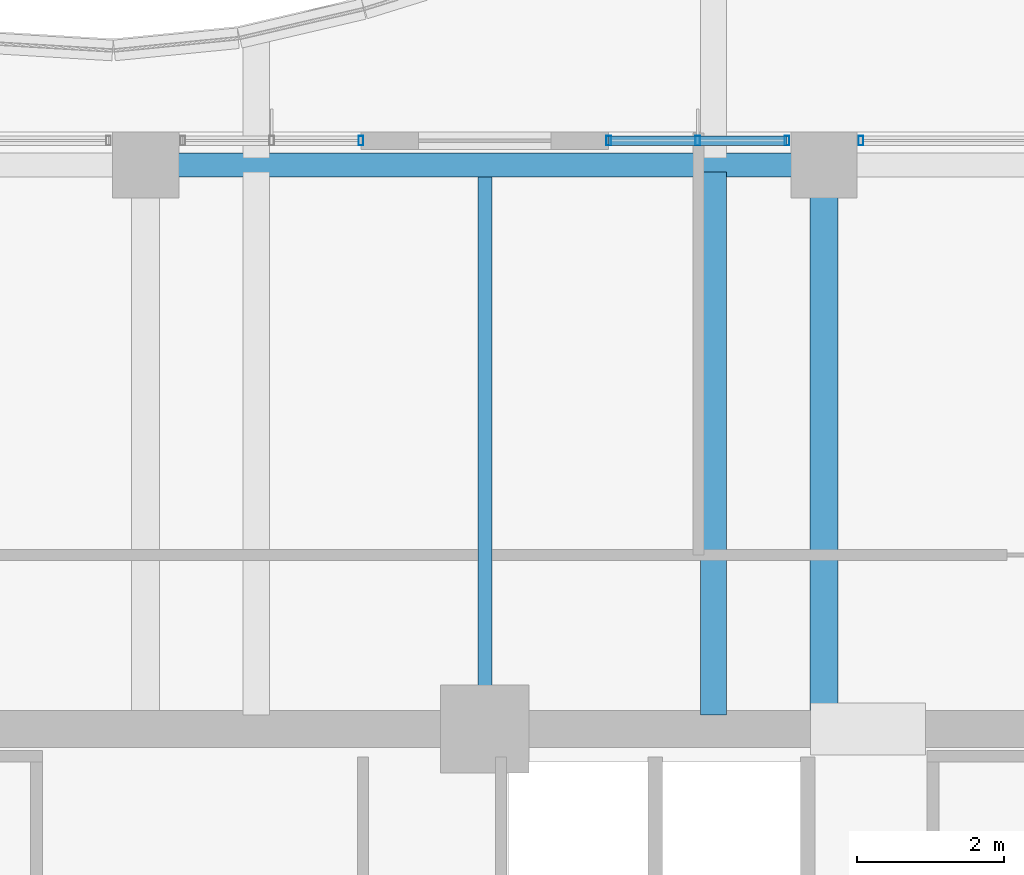
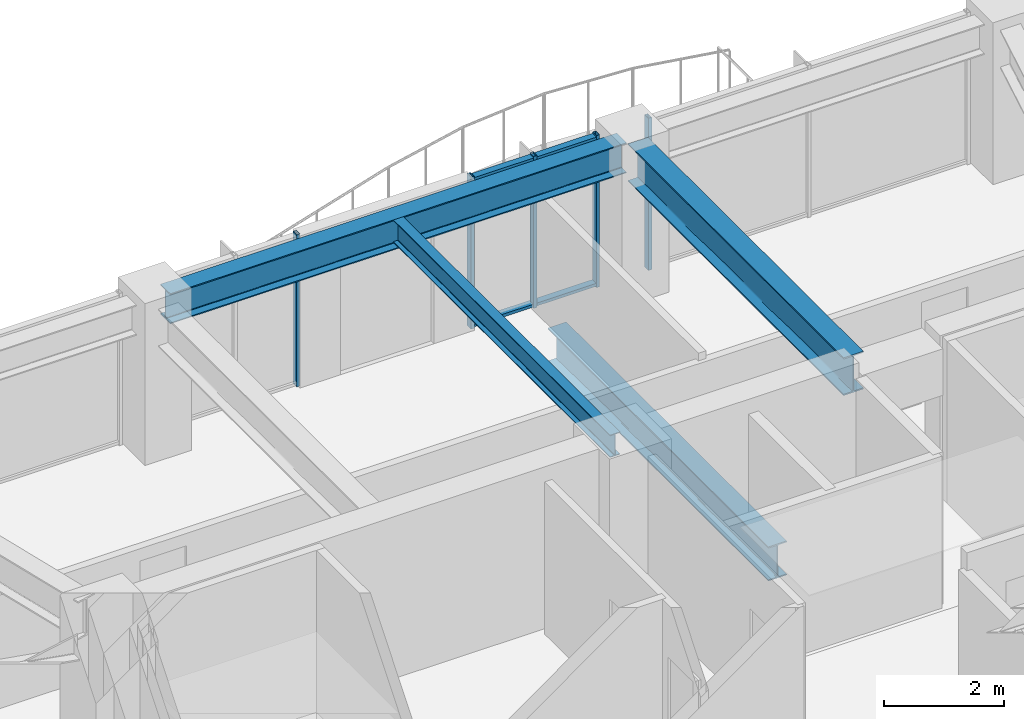
# One storey, part 18 of 31: 7 members, 4 beams, 3 elements without a shape of their own.
"""IFC4 building model written with IfcOpenShell, lengths in metres."""

from ifc_helpers import new_model, si_unit, direction, frame, origin, origin_2d, place, context, subcontext, project, spatial, hollow_rectangle, i_section, extrude, material, material_profile, profile_set, type_object, element, aggregate, save


model = new_model("IFC4")

# Units and contexts
model_context = context("Model", 3, precision=1e-05, world=origin(), true_north=direction((0.0, 1.0)))
body_context = subcontext(model_context, "Body", "Model", "MODEL_VIEW")
ifc_project = project(units=[si_unit("LENGTHUNIT", "METRE"), si_unit("AREAUNIT", "SQUARE_METRE"), si_unit("VOLUMEUNIT", "CUBIC_METRE"), si_unit("PLANEANGLEUNIT", "RADIAN"), si_unit("MASSUNIT", "GRAM", prefix="KILO")], contexts=[model_context])

# Site, building, storey
site_placement = place(None, origin())
site = spatial("IfcSite", under=ifc_project, at=site_placement, CompositionType="ELEMENT")
building_placement = place(site_placement, origin())
building = spatial("IfcBuilding", under=site, at=building_placement, Name="Kolvaren Belvedere", CompositionType="ELEMENT")
storey_placement = place(building_placement, frame((0.0, 0.0, 138.199951171875)))
storey = spatial("IfcBuildingStorey", under=building, at=storey_placement, Name="L40", CompositionType="ELEMENT", Elevation=138.199951171875)

# Beams
ifc_material_1 = material(Name="Structural steel ASTM A992 Grade 50", Category="steel")
ifc_material_profile_1 = material_profile(ifc_material_1, i_section(OverallWidth=0.35498046875, OverallDepth=0.696044921875, WebThickness=0.015380859375, FlangeThickness=0.02490234375, FilletRadius=0.02197265625, at=origin_2d()), Name="W27X146")
ifc_profile_set_1 = profile_set([ifc_material_profile_1], Name="Structural steel ASTM A992 Grade 50")
beam_type_1 = type_object("IfcBeamType", Name="BM-GIRD-W27X146", PredefinedType="BEAM", material=ifc_profile_set_1)
beam_1_placement = place(storey_placement, frame((3.10009765625, 10.090087890625, -0.5478515625), z_axis=(0.0, 1.0, 0.0), x_axis=(-1.0, 0.0, 0.0)))
element("IfcBeam", 1, at=beam_1_placement, inside=storey, type_object=beam_type_1, Name="L40 Balcony Interior Back-Span Girder BAL-N-2", PredefinedType="BEAM", context=body_context, shape_type="SweptSolid", body=[
    extrude(i_section(OverallWidth=0.35498046875, OverallDepth=0.696044921875, WebThickness=0.015380859375, FlangeThickness=0.02490234375, FilletRadius=0.02197265625, at=origin_2d()), origin(), (0.0, 0.0, 1.0), 7.364990234375),
])
ifc_material_2 = material(Name="Structural steel ASTM A992 Grade 50", Category="steel")
ifc_material_profile_2 = material_profile(ifc_material_2, i_section(OverallWidth=0.381103515625, OverallDepth=0.77294921875, WebThickness=0.0166015625, FlangeThickness=0.027099609375, FilletRadius=0.02392578125, at=origin_2d()), Name="W30X173")
ifc_profile_set_2 = profile_set([ifc_material_profile_2], Name="Structural steel ASTM A992 Grade 50")
beam_type_2 = type_object("IfcBeamType", Name="BM-GIRD-W30X173", PredefinedType="BEAM", material=ifc_profile_set_2)
beam_2_placement = place(storey_placement, frame((4.60009765625, 10.14990234375, 2.713623046875), z_axis=(0.0, 1.0, 0.0), x_axis=(-1.0, 0.0, 0.0)))
element("IfcBeam", 2, at=beam_2_placement, inside=storey, type_object=beam_type_2, Name="L40 North Radial Girder P", PredefinedType="BEAM", context=body_context, shape_type="SweptSolid", body=[
    extrude(i_section(OverallWidth=0.381103515625, OverallDepth=0.77294921875, WebThickness=0.0166015625, FlangeThickness=0.027099609375, FilletRadius=0.02392578125, at=origin_2d()), origin(), (0.0, 0.0, 1.0), 7.197509765625),
])
ifc_material_3 = material(Name="Structural steel ASTM A992 Grade 50", Category="steel")
ifc_material_profile_3 = material_profile(ifc_material_3, i_section(OverallWidth=0.19091796875, OverallDepth=0.4599609375, WebThickness=0.010009765625, FlangeThickness=0.01611328125, FilletRadius=0.014892578125, at=origin_2d()), Name="W18X55")
ifc_profile_set_3 = profile_set([ifc_material_profile_3], Name="Structural steel ASTM A992 Grade 50")
beam_type_3 = type_object("IfcBeamType", Name="BM-JOIST-W18X55", PredefinedType="BEAM", material=ifc_profile_set_3)
beam_3_placement = place(storey_placement, frame((0.0, 10.14990234375, 2.8701171875), z_axis=(0.0, 1.0, 0.0), x_axis=(-1.0, 0.0, 0.0)))
element("IfcBeam", 3, at=beam_3_placement, inside=storey, type_object=beam_type_3, Name="L40 North Centre Floor Beam", PredefinedType="BEAM", context=body_context, shape_type="SweptSolid", body=[
    extrude(i_section(OverallWidth=0.19091796875, OverallDepth=0.4599609375, WebThickness=0.010009765625, FlangeThickness=0.01611328125, FilletRadius=0.014892578125, at=origin_2d()), origin(), (0.0, 0.0, 1.0), 7.237548828125),
])
ifc_material_4 = material(Name="Structural steel ASTM A992 Grade 50", Category="steel")
ifc_material_profile_4 = material_profile(ifc_material_4, i_section(OverallWidth=0.324951171875, OverallDepth=0.615966796875, WebThickness=0.013916015625, FlangeThickness=0.021484375, FilletRadius=0.02001953125, at=origin_2d()), Name="W24X117")
ifc_profile_set_4 = profile_set([ifc_material_profile_4], Name="Structural steel ASTM A992 Grade 50")
beam_type_4 = type_object("IfcBeamType", Name="BM-SPAN-W24X117", PredefinedType="SPANDREL", material=ifc_profile_set_4)
beam_4_placement = place(storey_placement, frame((4.3974609375, 17.550048828125, 2.7919921875), z_axis=(-1.0, 0.0, 0.0), x_axis=(0.0, -1.0, 0.0)))
element("IfcBeam", 4, at=beam_4_placement, inside=storey, type_object=beam_type_4, Name="L40 Perimeter Spandrel N3-N2", PredefinedType="SPANDREL", context=body_context, shape_type="SweptSolid", body=[
    extrude(i_section(OverallWidth=0.324951171875, OverallDepth=0.615966796875, WebThickness=0.013916015625, FlangeThickness=0.021484375, FilletRadius=0.02001953125, at=origin_2d()), origin(), (0.0, 0.0, 1.0), 8.794921875),
])

# Curtain wall, member
ifc_material_5 = material(Name="Anodised pale-metal aluminium AA 6063-T6", Category="aluminium")
curtain_wall_type = type_object("IfcCurtainWallType", Name="CW-Z3-WAIST", PredefinedType="NOTDEFINED", material=ifc_material_5)
curtain_wall_1_placement = place(storey_placement, origin())
curtain_wall_1 = element("IfcCurtainWall", 5, at=curtain_wall_1_placement, inside=storey, type_object=curtain_wall_type, Name="L40 Unitised Curtain Wall FCW-L40-N1-B2", PredefinedType="NOTDEFINED")
ifc_material_6 = material(Name="Anodised pale-metal aluminium AA 6063-T6", Category="aluminium")
ifc_material_profile_5 = material_profile(ifc_material_6, hollow_rectangle(XDim=0.06494140625, YDim=0.1298828125, WallThickness=0.00390625, at=origin_2d()), Name="ALU-MUL-130X65")
ifc_profile_set_5 = profile_set([ifc_material_profile_5], Name="Anodised pale-metal aluminium AA 6063-T6")
member_type_1 = type_object("IfcMemberType", Name="CW-MUL-130", PredefinedType="MULLION", material=ifc_profile_set_5)
member_1_placement = place(storey_placement, frame((-1.679931640625, 17.8798828125, 0.0), z_axis=(0.0, 0.0, 1.0), x_axis=(1.0, 0.0, 0.0)))
member_1 = element("IfcMember", 6, at=member_1_placement, type_object=member_type_1, Name="FCW-L40-N1-B2 Unitised Mullion 3", PredefinedType="MULLION", context=body_context, shape_type="SweptSolid", body=[
    extrude(hollow_rectangle(XDim=0.06494140625, YDim=0.1298828125, WallThickness=0.00390625, at=origin_2d()), origin(), (0.0, 0.0, 1.0), 3.10009765625),
])
aggregate(curtain_wall_1, [member_1])

# Curtain wall, members
curtain_wall_2_placement = place(storey_placement, origin())
curtain_wall_2 = element("IfcCurtainWall", 7, at=curtain_wall_2_placement, inside=storey, type_object=curtain_wall_type, Name="L40 Unitised Curtain Wall FCW-L40-N2-B1", PredefinedType="NOTDEFINED")
member_2_placement = place(storey_placement, frame((1.679931640625, 17.8798828125, 0.0), z_axis=(0.0, 0.0, 1.0), x_axis=(1.0, 0.0, 0.0)))
member_2 = element("IfcMember", 8, at=member_2_placement, type_object=member_type_1, Name="FCW-L40-N2-B1 Unitised Mullion 1", PredefinedType="MULLION", context=body_context, shape_type="SweptSolid", body=[
    extrude(hollow_rectangle(XDim=0.06494140625, YDim=0.1298828125, WallThickness=0.00390625, at=origin_2d()), origin(), (0.0, 0.0, 1.0), 3.10009765625),
])
member_3_placement = place(storey_placement, frame((2.888671875, 17.8798828125, 0.0), z_axis=(0.0, 0.0, 1.0), x_axis=(1.0, 0.0, 0.0)))
member_3 = element("IfcMember", 9, at=member_3_placement, type_object=member_type_1, Name="FCW-L40-N2-B1 Unitised Mullion 2", PredefinedType="MULLION", context=body_context, shape_type="SweptSolid", body=[
    extrude(hollow_rectangle(XDim=0.06494140625, YDim=0.1298828125, WallThickness=0.00390625, at=origin_2d()), origin(), (0.0, 0.0, 1.0), 3.10009765625),
])
member_4_placement = place(storey_placement, frame((4.097412109375, 17.8798828125, 0.0), z_axis=(0.0, 0.0, 1.0), x_axis=(1.0, 0.0, 0.0)))
member_4 = element("IfcMember", 10, at=member_4_placement, type_object=member_type_1, Name="FCW-L40-N2-B1 Unitised Mullion 3", PredefinedType="MULLION", context=body_context, shape_type="SweptSolid", body=[
    extrude(hollow_rectangle(XDim=0.06494140625, YDim=0.1298828125, WallThickness=0.00390625, at=origin_2d()), origin(), (0.0, 0.0, 1.0), 3.10009765625),
])

# Curtain wall, member
curtain_wall_3_placement = place(storey_placement, origin())
curtain_wall_3 = element("IfcCurtainWall", 11, at=curtain_wall_3_placement, inside=storey, type_object=curtain_wall_type, Name="L40 Unitised Curtain Wall FCW-L40-N2-B2", PredefinedType="NOTDEFINED")
member_5_placement = place(storey_placement, frame((5.1025390625, 17.8798828125, 0.0), z_axis=(0.0, 0.0, 1.0), x_axis=(1.0, 0.0, 0.0)))
member_5 = element("IfcMember", 12, at=member_5_placement, type_object=member_type_1, Name="FCW-L40-N2-B2 Unitised Mullion 1", PredefinedType="MULLION", context=body_context, shape_type="SweptSolid", body=[
    extrude(hollow_rectangle(XDim=0.06494140625, YDim=0.1298828125, WallThickness=0.00390625, at=origin_2d()), origin(), (0.0, 0.0, 1.0), 3.10009765625),
])
aggregate(curtain_wall_3, [member_5])

# Member
ifc_material_7 = material(Name="Anodised pale-metal aluminium AA 6063-T6", Category="aluminium")
ifc_material_profile_6 = material_profile(ifc_material_7, hollow_rectangle(XDim=0.06005859375, YDim=0.1298828125, WallThickness=0.00390625, at=origin_2d()), Name="ALU-TRN-130X60")
ifc_profile_set_6 = profile_set([ifc_material_profile_6], Name="Anodised pale-metal aluminium AA 6063-T6")
member_type_2 = type_object("IfcMemberType", Name="CW-TRN-130", PredefinedType="USERDEFINED", material=ifc_profile_set_6)
member_6_placement = place(storey_placement, frame((1.679931640625, 17.8798828125, 0.06005859375), z_axis=(1.0, 0.0, 0.0), x_axis=(0.0, 0.0, 1.0)))
member_6 = element("IfcMember", 13, at=member_6_placement, type_object=member_type_2, Name="FCW-L40-N2-B1 Sill Transom", ObjectType="TRANSOM", PredefinedType="USERDEFINED", context=body_context, shape_type="SweptSolid", body=[
    extrude(hollow_rectangle(XDim=0.06005859375, YDim=0.1298828125, WallThickness=0.00390625, at=origin_2d()), origin(), (0.0, 0.0, 1.0), 2.41748046875),
])

member_7_placement = place(storey_placement, frame((1.679931640625, 17.8798828125, 3.0400390625), z_axis=(1.0, 0.0, 0.0), x_axis=(0.0, 0.0, 1.0)))
member_7 = element("IfcMember", 14, at=member_7_placement, type_object=member_type_2, Name="FCW-L40-N2-B1 Head Transom", ObjectType="TRANSOM", PredefinedType="USERDEFINED", context=body_context, shape_type="SweptSolid", body=[
    extrude(hollow_rectangle(XDim=0.06005859375, YDim=0.1298828125, WallThickness=0.00390625, at=origin_2d()), origin(), (0.0, 0.0, 1.0), 2.41748046875),
])

aggregate(curtain_wall_2, [member_2, member_3, member_4, member_6, member_7])

save(model, "model.ifc")
